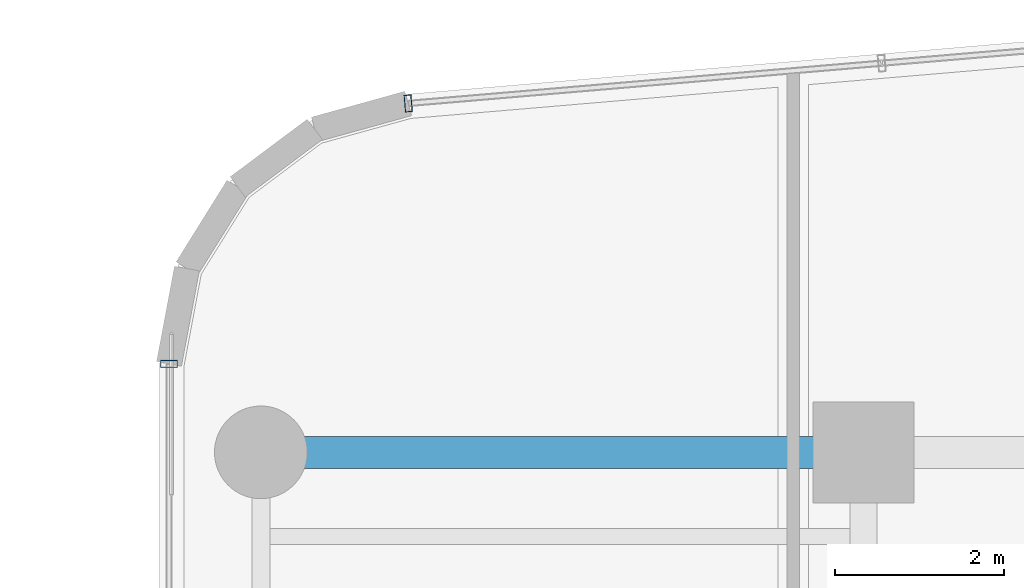
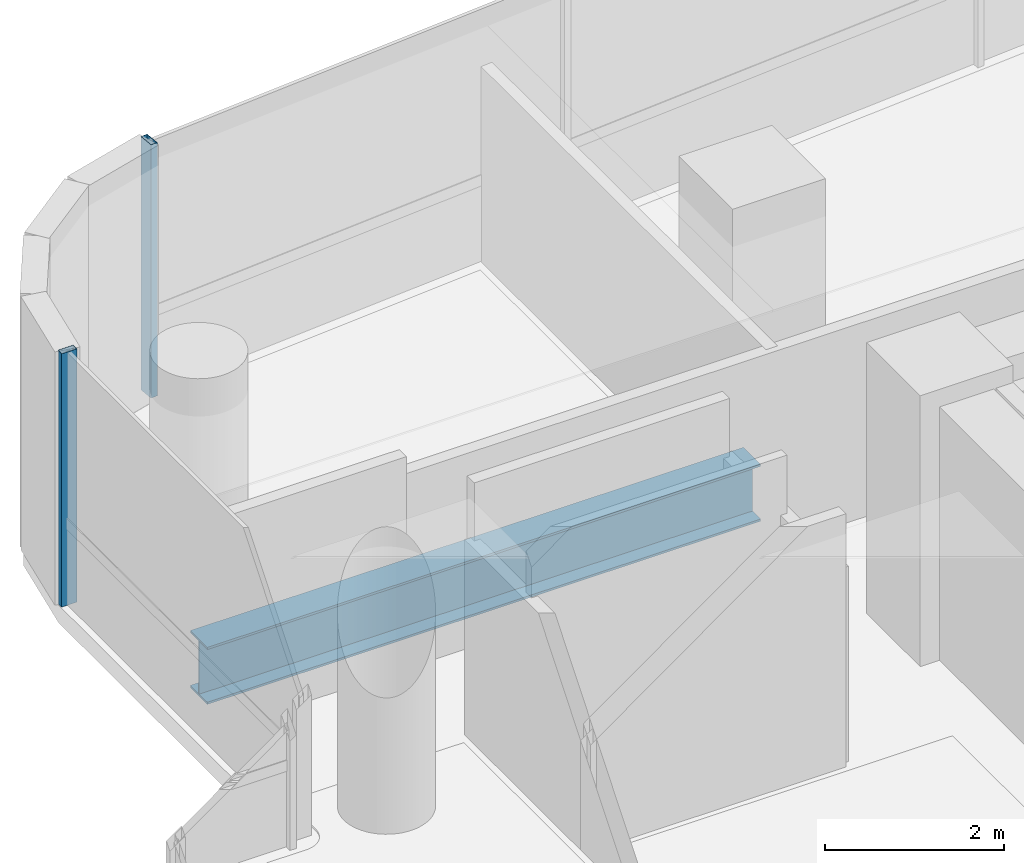
# One storey, part 18 of 35: 2 members, 1 beam, 2 elements without a shape of their own.
"""IFC4 building model written with IfcOpenShell, lengths in metres."""

from ifc_helpers import new_model, si_unit, direction, frame, origin, origin_2d, place, context, subcontext, project, spatial, hollow_rectangle, i_section, extrude, source, transform, mapped, material, material_profile, profile_set, type_object, element, aggregate, save


model = new_model("IFC4")

# Units and contexts
model_context = context("Model", 3, precision=1e-05, world=origin(), true_north=direction((0.0, 1.0)))
body_context = subcontext(model_context, "Body", "Model", "MODEL_VIEW")
ifc_project = project(units=[si_unit("LENGTHUNIT", "METRE"), si_unit("AREAUNIT", "SQUARE_METRE"), si_unit("VOLUMEUNIT", "CUBIC_METRE"), si_unit("PLANEANGLEUNIT", "RADIAN"), si_unit("MASSUNIT", "GRAM", prefix="KILO")], contexts=[model_context])

# Site, building, storey
site_placement = place(None, origin())
site = spatial("IfcSite", under=ifc_project, at=site_placement, CompositionType="ELEMENT")
building_placement = place(site_placement, origin())
building = spatial("IfcBuilding", under=site, at=building_placement, Name="Valdorenza Pilgrim Sanctuary Tower", CompositionType="ELEMENT")
storey_placement = place(building_placement, frame((0.0, 0.0, 139.0)))
storey = spatial("IfcBuildingStorey", under=building, at=storey_placement, Name="L35", CompositionType="ELEMENT", Elevation=139.0)

# Beam
ifc_material_1 = material(Name="Steel ASTM A992 Grade 50", Category="steel")
ifc_material_profile_1 = material_profile(ifc_material_1, i_section(OverallWidth=0.382080078125, OverallDepth=0.779052734375, WebThickness=0.01806640625, FlangeThickness=0.030029296875, at=origin_2d()), Name="W30X191")
ifc_profile_set_1 = profile_set([ifc_material_profile_1], Name="Steel ASTM A992 Grade 50")
beam_type = type_object("IfcBeamType", Name="STR-BM-GRD-W30", PredefinedType="BEAM", material=ifc_profile_set_1)
shared_shape_1 = source(origin(), body_context, "Body", "SweptSolid", [
    extrude(i_section(OverallWidth=0.382080078125, OverallDepth=0.779052734375, WebThickness=0.01806640625, FlangeThickness=0.030029296875, at=origin_2d()), origin(), (0.0, 0.0, 1.0), 7.150146484375),
])
beam_placement = place(storey_placement, frame((-29.800048828125, 14.800048828125, -0.62939453125), z_axis=(1.0, 0.0, 0.0), x_axis=(0.0, 1.0, 0.0)))
element("IfcBeam", 1, at=beam_placement, inside=storey, type_object=beam_type, Name="L35 Floor Girder WA-XW-N2", PredefinedType="BEAM", context=body_context, shape_type="MappedRepresentation", body=[
    mapped(shared_shape_1, transform((0.0, 0.0, 0.0), x_axis=(1.0, 0.0, 0.0), y_axis=(0.0, 1.0, 0.0), z_axis=(0.0, 0.0, 1.0), scale=1.0)),
])

# Curtain wall, member
ifc_material_2 = material(Name="Curtain-wall IGU glazing", Category="glass")
curtain_wall_type = type_object("IfcCurtainWallType", Name="CW-SYS-02", PredefinedType="NOTDEFINED", material=ifc_material_2)
curtain_wall_1_placement = place(storey_placement, origin())
curtain_wall_1 = element("IfcCurtainWall", 2, at=curtain_wall_1_placement, inside=storey, type_object=curtain_wall_type, Name="L35 Curtain Wall CW-L35-1-1S2", PredefinedType="NOTDEFINED")
ifc_material_3 = material(Name="Anodised aluminium AW-6060", Category="aluminium")
ifc_material_profile_2 = material_profile(ifc_material_3, hollow_rectangle(XDim=0.0849609375, YDim=0.199951171875, WallThickness=0.0048828125, at=origin_2d()), Name="ALU-M 200x85x5")
ifc_profile_set_2 = profile_set([ifc_material_profile_2], Name="Anodised aluminium AW-6060")
member_type = type_object("IfcMemberType", Name="CW-MUL-02", PredefinedType="MULLION", material=ifc_profile_set_2)
shared_shape_2 = source(origin(), body_context, "Body", "SweptSolid", [
    extrude(hollow_rectangle(XDim=0.0849609375, YDim=0.199951171875, WallThickness=0.0048828125, at=origin_2d()), origin(), (0.0, 0.0, 1.0), 3.4599609375),
])
member_1_placement = place(storey_placement, frame((-30.889892578125, 15.850341796875, 0.0), z_axis=(0.0, 0.0, 1.0), x_axis=(0.0, 1.0, 0.0)))
member_1 = element("IfcMember", 3, at=member_1_placement, type_object=member_type, Name="CW-L35-1-1S2 Mullion 2", PredefinedType="MULLION", context=body_context, shape_type="MappedRepresentation", body=[
    mapped(shared_shape_2, transform((0.0, 0.0, 0.0), x_axis=(1.0, 0.0, 0.0), y_axis=(0.0, 1.0, 0.0), z_axis=(0.0, 0.0, 1.0), scale=1.0)),
])
aggregate(curtain_wall_1, [member_1])

curtain_wall_2_placement = place(storey_placement, origin())
curtain_wall_2 = element("IfcCurtainWall", 4, at=curtain_wall_2_placement, inside=storey, type_object=curtain_wall_type, Name="L35 Curtain Wall CW-L35-1-6", PredefinedType="NOTDEFINED")
member_2_placement = place(storey_placement, frame((-28.051513671875, 18.940185546875, 0.0), z_axis=(0.0, 0.0, 1.0), x_axis=(0.99640764237, 0.084686541006, 0.0)))
member_2 = element("IfcMember", 5, at=member_2_placement, type_object=member_type, Name="CW-L35-1-6 Mullion 1", PredefinedType="MULLION", context=body_context, shape_type="MappedRepresentation", body=[
    mapped(shared_shape_2, transform((0.0, 0.0, 0.0), x_axis=(1.0, 0.0, 0.0), y_axis=(0.0, 1.0, 0.0), z_axis=(0.0, 0.0, 1.0), scale=1.0)),
])
aggregate(curtain_wall_2, [member_2])

save(model, "model.ifc")
